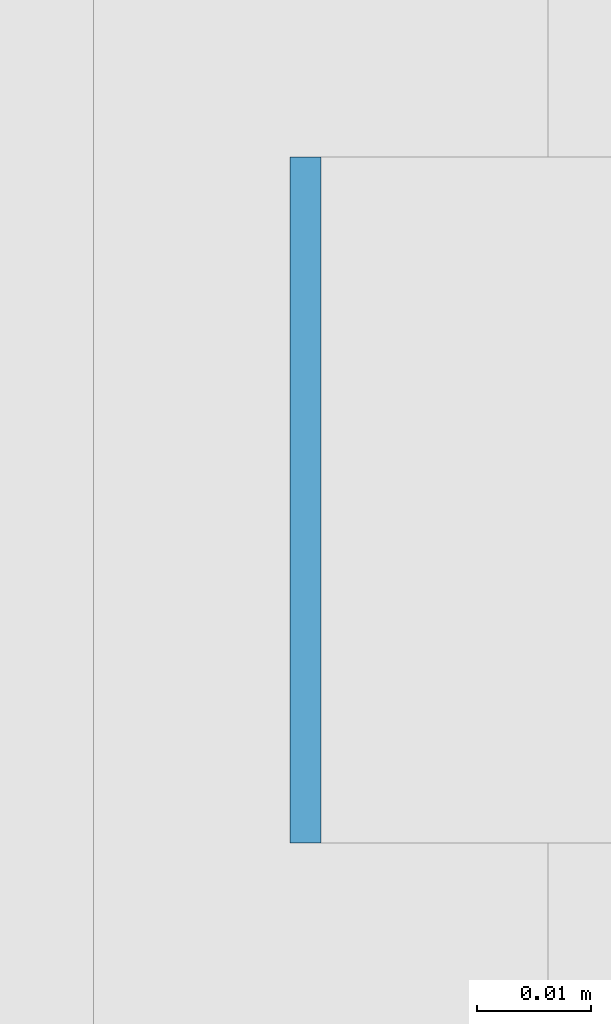
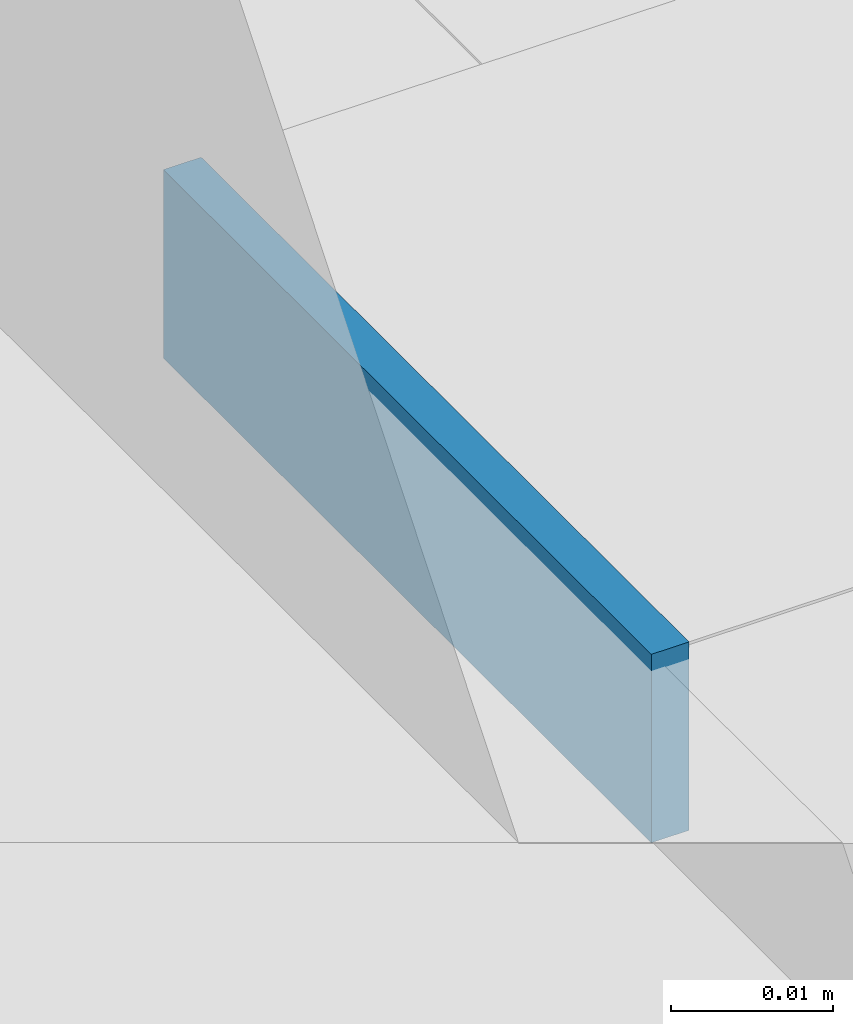
# One storey, part 577 of 646: 1 discrete accessory.
"""IFC4 building model written with IfcOpenShell, lengths in metres."""

from ifc_helpers import new_model, si_unit, direction, frame, origin, origin_2d, place, context, subcontext, project, spatial, rectangle, extrude, material, type_object, element, save


model = new_model("IFC4")

# Units and contexts
model_context = context("Model", 3, precision=1e-05, world=origin(), true_north=direction((0.0, 1.0)))
body_context = subcontext(model_context, "Body", "Model", "MODEL_VIEW")
ifc_project = project(units=[si_unit("LENGTHUNIT", "METRE"), si_unit("AREAUNIT", "SQUARE_METRE"), si_unit("VOLUMEUNIT", "CUBIC_METRE"), si_unit("PLANEANGLEUNIT", "RADIAN"), si_unit("MASSUNIT", "GRAM", prefix="KILO")], contexts=[model_context])

# Site, building, storey
site_placement = place(None, origin())
site = spatial("IfcSite", under=ifc_project, at=site_placement, CompositionType="ELEMENT")
building_placement = place(site_placement, origin())
building = spatial("IfcBuilding", under=site, at=building_placement, Name="Silverbay Arena", CompositionType="ELEMENT")
storey_placement = place(building_placement, frame((0.0, 0.0, 33.5)))
storey = spatial("IfcBuildingStorey", under=building, at=storey_placement, Name="L05", CompositionType="ELEMENT", Elevation=33.5)

# Discrete accessory
ifc_material = material(Name="Steel S355", Category="steel")
discrete_accessory_type = type_object("IfcDiscreteAccessoryType", Name="Steel bracket plate", PredefinedType="BRACKET", material=ifc_material)
discrete_accessory_placement = place(storey_placement, frame((207.128662109375, 110.571533203125, 12.98583984375), z_axis=(0.0, 0.0, 1.0), x_axis=(1.0, 0.0, 0.0)))
element("IfcDiscreteAccessory", 1, at=discrete_accessory_placement, inside=storey, type_object=discrete_accessory_type, Name="Curtain wall packing plate", PredefinedType="BRACKET", context=body_context, shape_type="SweptSolid", body=[
    extrude(rectangle(XDim=0.002685546875, YDim=0.06005859375, at=origin_2d()), origin(), (0.0, 0.0, 1.0), 0.01416015625),
])

save(model, "model.ifc")
